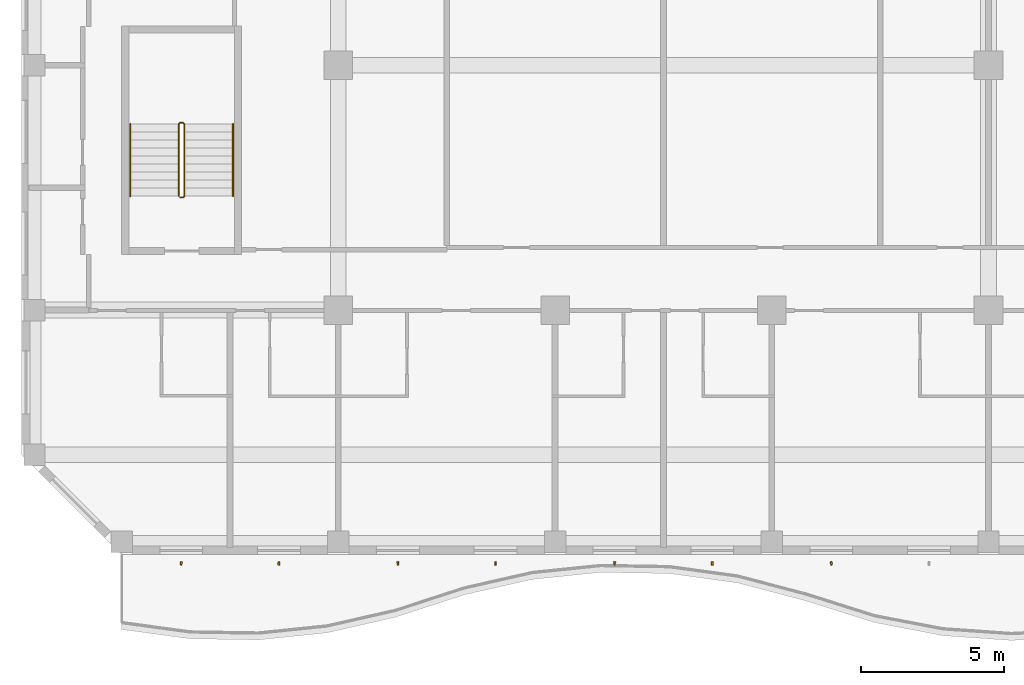
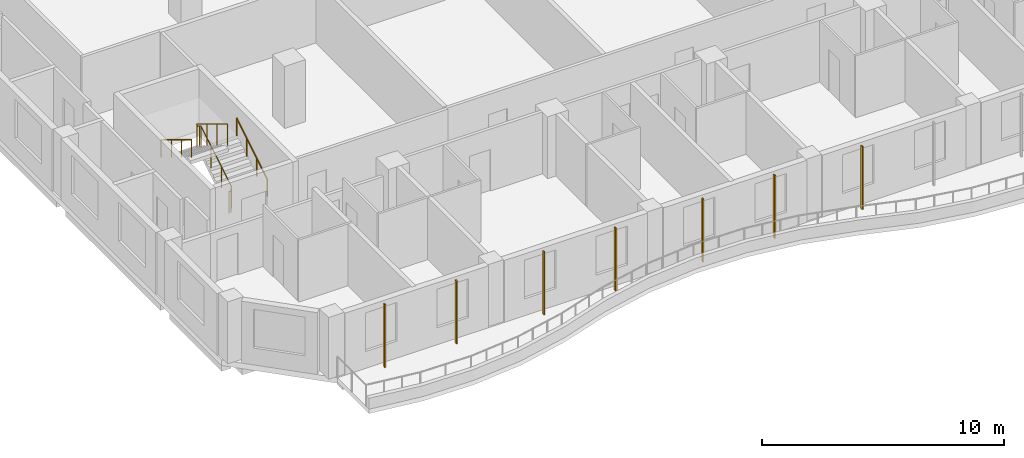
# One storey, part 14 of 21: 7 shading devices, 3 railings.
"""IFC4 building model written with IfcOpenShell, lengths in metres."""

from ifc_helpers import new_model, si_unit, direction, frame, origin, origin_2d, place, context, subcontext, project, spatial, rectangle, circle, extrude, source, transform, mapped, material, material_profile, profile_set, type_object, element, save


model = new_model("IFC4")

# Units and contexts
model_context = context("Model", 3, precision=1e-05, world=origin(), true_north=direction((0.0, 1.0)))
body_context = subcontext(model_context, "Body", "Model", "MODEL_VIEW")
ifc_project = project(units=[si_unit("LENGTHUNIT", "METRE"), si_unit("AREAUNIT", "SQUARE_METRE"), si_unit("VOLUMEUNIT", "CUBIC_METRE"), si_unit("PLANEANGLEUNIT", "RADIAN"), si_unit("MASSUNIT", "GRAM", prefix="KILO")], contexts=[model_context])

# Site, building, storey
site_placement = place(None, origin())
site = spatial("IfcSite", under=ifc_project, at=site_placement, CompositionType="ELEMENT")
building_placement = place(site_placement, origin())
building = spatial("IfcBuilding", under=site, at=building_placement, Name="Kilnfold Tower and Market Hall", CompositionType="ELEMENT")
storey_placement = place(building_placement, frame((0.0, 0.0, 216.89990234375)))
storey = spatial("IfcBuildingStorey", under=building, at=storey_placement, Name="L53", CompositionType="ELEMENT", Elevation=216.89990234375)

# Railings
ifc_material_1 = material(Name="Stainless steel 316", Category="steel")
railing_type_1 = type_object("IfcRailingType", Name="CORE STAIR GUARD 1100", PredefinedType="GUARDRAIL", material=ifc_material_1)
railing_1_placement = place(storey_placement, frame((-15.699951171875, -13.75, 0.0)))
element("IfcRailing", 1, at=railing_1_placement, inside=storey, type_object=railing_type_1, Name="L53 ST3 stair guard 1", PredefinedType="GUARDRAIL", context=body_context, shape_type="SweptSolid", body=[
    extrude(circle(Radius=0.02392578125, at=origin_2d()), frame((0.0, 0.0, 1.076171875), z_axis=(1.0, 0.0, 0.0), x_axis=(0.0, 1.0, 0.0)), (0.0, 0.0, 1.0), 0.099853515625),
    extrude(circle(Radius=0.02392578125, at=origin_2d()), frame((0.099853515625, 0.0, 1.076171875), z_axis=(0.271562723297, 0.271562723297, 0.923313259209), x_axis=(-0.707106781187, 0.707106781187, 0.0)), (0.0, 0.0, 1.0), 0.184326171875),
    extrude(circle(Radius=0.02392578125, at=origin_2d()), frame((0.14990234375, 0.050048828125, 1.24609375), z_axis=(0.0, 0.85478489116, 0.518982456201), x_axis=(-1.0, 0.0, 0.0)), (0.0, 0.0, 1.0), 2.9482421875),
    extrude(circle(Radius=0.02392578125, at=origin_2d()), frame((0.14990234375, 2.570068359375, 2.7763671875), z_axis=(-0.707106781187, 0.707106781187, 0.0), x_axis=(-0.707106781187, -0.707106781187, 0.0)), (0.0, 0.0, 1.0), 0.07080078125),
    extrude(circle(Radius=0.02392578125, at=origin_2d()), frame((0.099853515625, 2.6201171875, 2.7763671875), z_axis=(-1.0, 0.0, 0.0), x_axis=(0.0, -1.0, 0.0)), (0.0, 0.0, 1.0), 0.099853515625),
    extrude(circle(Radius=0.02392578125, at=origin_2d()), frame((0.0, 2.6201171875, 2.7763671875), z_axis=(-0.271895245746, -0.271895245746, 0.923117517265), x_axis=(0.707106781187, -0.707106781187, 0.0)), (0.0, 0.0, 1.0), 0.18408203125),
    extrude(circle(Radius=0.02392578125, at=origin_2d()), frame((-0.050048828125, 2.570068359375, 2.9462890625), z_axis=(0.0, -0.85478489116, 0.518982456201), x_axis=(1.0, 0.0, 0.0)), (0.0, 0.0, 1.0), 2.9482421875),
    extrude(circle(Radius=0.02099609375, at=origin_2d()), origin(), (0.0, 0.0, 1.0), 1.052001953125),
    extrude(circle(Radius=0.02099609375, at=origin_2d()), frame((0.099853515625, 0.0, 0.0)), (0.0, 0.0, 1.0), 1.052001953125),
    extrude(circle(Radius=0.02099609375, at=origin_2d()), frame((0.14990234375, 0.050048828125, 0.170166015625)), (0.0, 0.0, 1.0), 1.052001953125),
    extrude(circle(Radius=0.02099609375, at=origin_2d()), frame((0.14990234375, 0.89013671875, 0.68017578125)), (0.0, 0.0, 1.0), 1.052001953125),
    extrude(circle(Radius=0.02099609375, at=origin_2d()), frame((0.14990234375, 1.72998046875, 1.190185546875)), (0.0, 0.0, 1.0), 1.052001953125),
    extrude(circle(Radius=0.02099609375, at=origin_2d()), frame((0.14990234375, 2.570068359375, 1.7001953125)), (0.0, 0.0, 1.0), 1.052001953125),
    extrude(circle(Radius=0.02099609375, at=origin_2d()), frame((0.099853515625, 2.6201171875, 1.7001953125)), (0.0, 0.0, 1.0), 1.052001953125),
    extrude(circle(Radius=0.02099609375, at=origin_2d()), frame((0.0, 2.6201171875, 1.7001953125)), (0.0, 0.0, 1.0), 1.052001953125),
    extrude(circle(Radius=0.02099609375, at=origin_2d()), frame((-0.050048828125, 2.570068359375, 1.8701171875)), (0.0, 0.0, 1.0), 1.052001953125),
    extrude(circle(Radius=0.02099609375, at=origin_2d()), frame((-0.050048828125, 1.72998046875, 2.380126953125)), (0.0, 0.0, 1.0), 1.052001953125),
    extrude(circle(Radius=0.02099609375, at=origin_2d()), frame((-0.050048828125, 0.89013671875, 2.89013671875)), (0.0, 0.0, 1.0), 1.052001953125),
    extrude(circle(Radius=0.02099609375, at=origin_2d()), frame((-0.050048828125, 0.050048828125, 3.400146484375)), (0.0, 0.0, 1.0), 1.052001953125),
])
ifc_material_2 = material(Name="Stainless steel 316", Category="steel")
railing_type_2 = type_object("IfcRailingType", Name="CORE STAIR HANDRAIL 900", PredefinedType="HANDRAIL", material=ifc_material_2)
railing_2_placement = place(storey_placement, frame((-13.85009765625, -13.699951171875, 0.170166015625)))
element("IfcRailing", 2, at=railing_2_placement, inside=storey, type_object=railing_type_2, Name="L53 ST3 stair handrail 1", PredefinedType="HANDRAIL", context=body_context, shape_type="SweptSolid", body=[
    extrude(circle(Radius=0.02392578125, at=origin_2d()), frame((0.0, 0.0, 0.8759765625), z_axis=(0.0, 0.85478489116, 0.518982456201), x_axis=(-1.0, 0.0, 0.0)), (0.0, 0.0, 1.0), 2.9482421875),
    extrude(circle(Radius=0.02099609375, at=origin_2d()), origin(), (0.0, 0.0, 1.0), 0.851806640625),
    extrude(circle(Radius=0.02099609375, at=origin_2d()), frame((0.0, 0.840087890625, 0.510009765625)), (0.0, 0.0, 1.0), 0.851806640625),
    extrude(circle(Radius=0.02099609375, at=origin_2d()), frame((0.0, 1.679931640625, 1.02001953125)), (0.0, 0.0, 1.0), 0.851806640625),
    extrude(circle(Radius=0.02099609375, at=origin_2d()), frame((0.0, 2.52001953125, 1.530029296875)), (0.0, 0.0, 1.0), 0.851806640625),
])
railing_3_placement = place(storey_placement, frame((-17.449951171875, -11.179931640625, 1.8701171875)))
element("IfcRailing", 3, at=railing_3_placement, inside=storey, type_object=railing_type_2, Name="L53 ST3 stair handrail 2", PredefinedType="HANDRAIL", context=body_context, shape_type="SweptSolid", body=[
    extrude(circle(Radius=0.02392578125, at=origin_2d()), frame((0.0, 0.0, 0.8759765625), z_axis=(0.0, -0.85478489116, 0.518982456201), x_axis=(1.0, 0.0, 0.0)), (0.0, 0.0, 1.0), 2.9482421875),
    extrude(circle(Radius=0.02099609375, at=origin_2d()), origin(), (0.0, 0.0, 1.0), 0.851806640625),
    extrude(circle(Radius=0.02099609375, at=origin_2d()), frame((0.0, -0.840087890625, 0.510009765625)), (0.0, 0.0, 1.0), 0.851806640625),
    extrude(circle(Radius=0.02099609375, at=origin_2d()), frame((0.0, -1.679931640625, 1.02001953125)), (0.0, 0.0, 1.0), 0.851806640625),
    extrude(circle(Radius=0.02099609375, at=origin_2d()), frame((0.0, -2.52001953125, 1.530029296875)), (0.0, 0.0, 1.0), 0.851806640625),
])

# Shading devices
ifc_material_3 = material(Name="Terracotta", Category="masonry")
ifc_material_profile = material_profile(ifc_material_3, rectangle(XDim=0.06005859375, YDim=0.1201171875, at=origin_2d()), Name="BAG 60x120")
ifc_profile_set = profile_set([ifc_material_profile], Name="Terracotta")
shading_device_type = type_object("IfcShadingDeviceType", Name="BAGUETTE", PredefinedType="USERDEFINED", material=ifc_profile_set)
shared_shape = source(origin(), body_context, "Body", "SweptSolid", [
    extrude(rectangle(XDim=0.06005859375, YDim=0.1201171875, at=origin_2d()), origin(), (0.0, 0.0, 1.0), 3.18017578125),
])
for number, where, z_axis, x_axis, name in (
    (4, (-15.666748046875, -26.550048828125, 0.0), (0.0, 0.0, 1.0), (0.992850766015, -0.119362290625, 0.0), "Terracotta baguette L53 S"),
    (5, (-12.25, -26.550048828125, 0.0), (0.0, 0.0, 1.0), (0.997083202475, -0.076322259807, 0.0), "Terracotta baguette L53 S"),
    (6, (-8.083251953125, -26.550048828125, 0.0), (0.0, 0.0, 1.0), (0.991008904952, 0.133795927834, 0.0), "Terracotta baguette L53 S"),
    (7, (-4.666748046875, -26.550048828125, 0.0), (0.0, 0.0, 1.0), (0.999052176237, 0.043528716445, 0.0), "Terracotta baguette L53 S"),
    (8, (-0.5, -26.550048828125, 0.0), (0.0, 0.0, 1.0), (0.990271226224, -0.139150632454, 0.0), "Terracotta baguette L53 S"),
    (9, (2.916748046875, -26.550048828125, 0.0), (0.0, 0.0, 1.0), (0.99997016367, -0.007724750442, 0.0), "Terracotta baguette L53 S"),
    (10, (7.083251953125, -26.550048828125, 0.0), (0.0, 0.0, 1.0), (0.990834567908, 0.135080935141, 0.0), "Terracotta baguette L53 S"),
):
    element("IfcShadingDevice", number, at=place(storey_placement, frame(where, z_axis=z_axis, x_axis=x_axis)), inside=storey, type_object=shading_device_type, Name=name, ObjectType="BAGUETTE", PredefinedType="USERDEFINED", context=body_context, shape_type="MappedRepresentation", body=[
        mapped(shared_shape, transform((0.0, 0.0, 0.0))),
    ])

save(model, "model.ifc")
